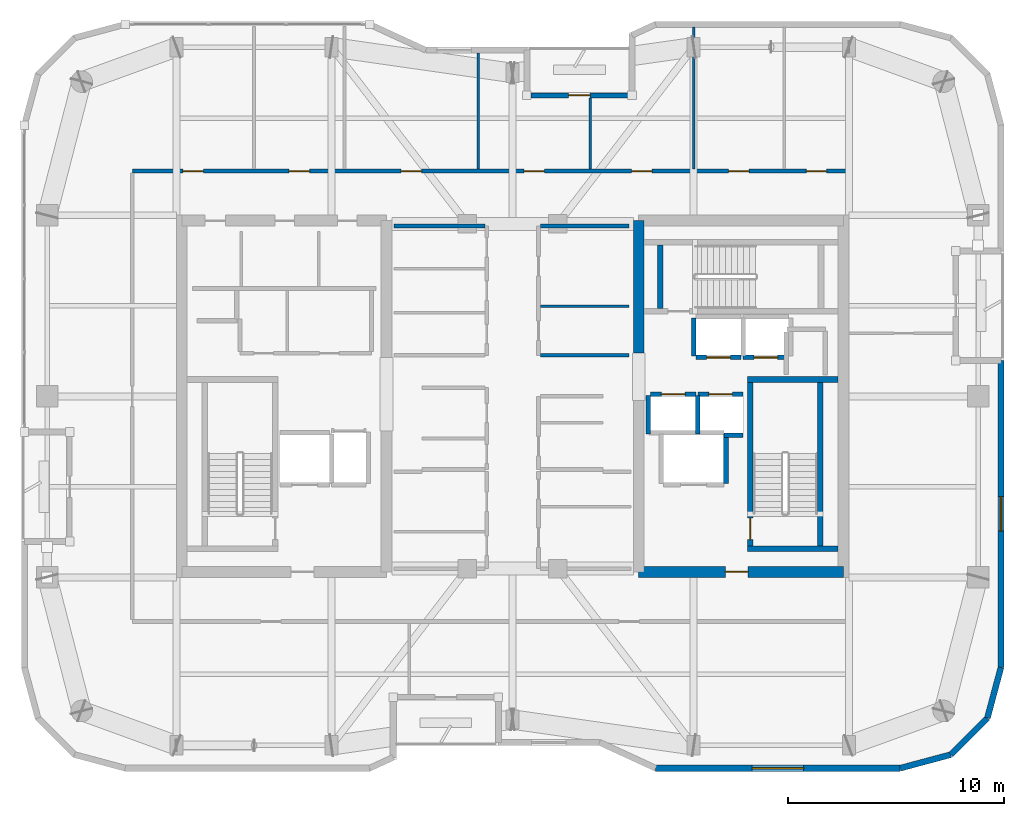
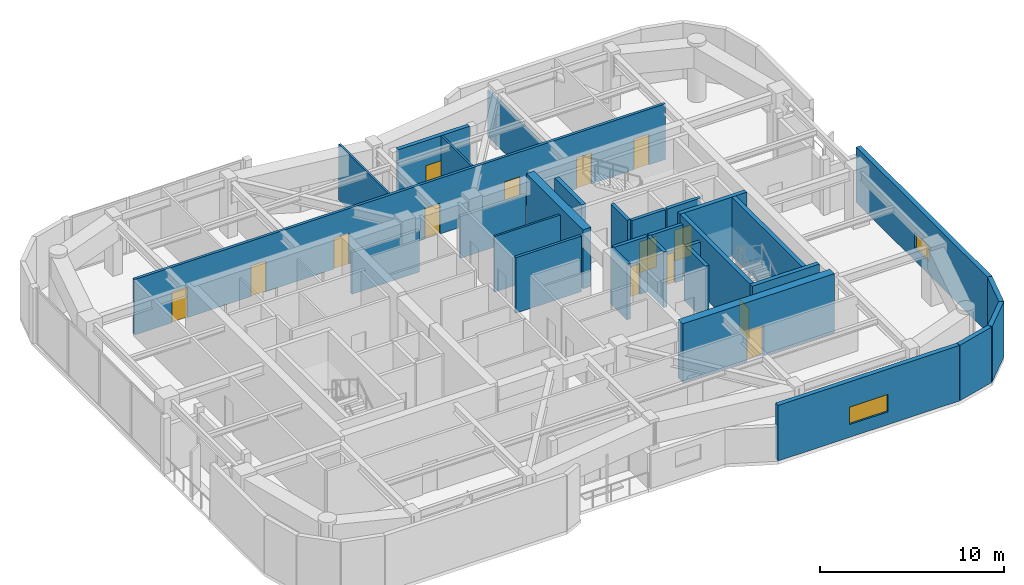
# One storey, part 12 of 15: 30 walls, 14 doors, 2 windows, 16 openings.
"""IFC4 building model written with IfcOpenShell, lengths in metres."""

from ifc_helpers import new_model, si_unit, direction, frame, frame_2d, origin, place, context, subcontext, project, spatial, rectangle, extrude, material, layer, layer_set, type_object, element, fill, save


model = new_model("IFC4")

# Units and contexts
model_context = context("Model", 3, precision=1e-05, world=origin(), true_north=direction((0.0, 1.0)))
body_context = subcontext(model_context, "Body", "Model", "MODEL_VIEW")
ifc_project = project(units=[si_unit("LENGTHUNIT", "METRE"), si_unit("AREAUNIT", "SQUARE_METRE"), si_unit("VOLUMEUNIT", "CUBIC_METRE"), si_unit("PLANEANGLEUNIT", "RADIAN"), si_unit("MASSUNIT", "GRAM", prefix="KILO")], contexts=[model_context])

# Site, building, storey
site_placement = place(None, origin())
site = spatial("IfcSite", under=ifc_project, at=site_placement, CompositionType="ELEMENT")
building_placement = place(site_placement, origin())
building = spatial("IfcBuilding", under=site, at=building_placement, Name="Kiyonajd Concourse Tower", CompositionType="ELEMENT")
storey_placement = place(building_placement, frame((0.0, 0.0, 274.5)))
storey = spatial("IfcBuildingStorey", under=building, at=storey_placement, Name="L69", CompositionType="ELEMENT", Elevation=274.5)

# Wall
ifc_material_1 = material(Name="Concrete C60/75", Category="concrete")
ifc_layer_1 = layer(ifc_material_1, 0.5)
ifc_layer_set_1 = layer_set([ifc_layer_1], Name="Concrete C60/75")
wall_type_1 = type_object("IfcWallType", Name="WL-CORE-500", PredefinedType="SHEAR", material=ifc_layer_set_1)
wall_1_placement = place(storey_placement, frame((53.85009765625, 38.0, 0.0), z_axis=(0.0, 0.0, 1.0), x_axis=(0.0, 1.0, 0.0)))
element("IfcWall", 1, at=wall_1_placement, inside=storey, type_object=wall_type_1, Name="L69 East Core Inner North Shear Wall", PredefinedType="SHEAR", context=body_context, shape_type="SweptSolid", body=[
    extrude(rectangle(XDim=6.14990234375, YDim=0.5, at=frame_2d((3.074951171875, 0.0))), origin(), (0.0, 0.0, 1.0), 3.89990234375),
])

# Wall, opening, door
wall_2_placement = place(storey_placement, frame((53.85009765625, 27.85009765625, 0.0), z_axis=(0.0, 0.0, 1.0), x_axis=(1.0, 0.0, 0.0)))
wall_2 = element("IfcWall", 2, at=wall_2_placement, inside=storey, type_object=wall_type_1, Name="L69 East Core South Shear Wall", PredefinedType="SHEAR", context=body_context, shape_type="SweptSolid", body=[
    extrude(rectangle(XDim=9.5, YDim=0.5, at=frame_2d((4.75, 0.0))), origin(), (0.0, 0.0, 1.0), 3.89990234375),
])
opening_1_placement = place(wall_2_placement, frame((4.02490234375, 0.0, 0.0)))
opening_1 = element("IfcOpeningElement", 3, at=opening_1_placement, cuts=wall_2, Name="Opening DF5", PredefinedType="OPENING", context=body_context, shape_type="SweptSolid", body=[
    extrude(rectangle(XDim=1.050048828125, YDim=2.0400390625, at=frame_2d((0.52490234375, 1.02001953125))), frame((0.0, 0.260009765625, 0.0), z_axis=(0.0, -1.0, 0.0), x_axis=(1.0, 0.0, 0.0)), (0.0, 0.0, 1.0), 0.52001953125),
])
ifc_material_2 = material(Name="Brushed Stainless Steel Cab Assembly", Category="steel")
door_type_1 = type_object("IfcDoorType", Name="DR-FD45-1050", OperationType="NOTDEFINED", PredefinedType="DOOR", material=ifc_material_2)
door_1_placement = place(opening_1_placement, origin())
door_1 = element("IfcDoor", 4, at=door_1_placement, inside=storey, type_object=door_type_1, Name="L69 Firefighting Lift Lobby E Smoke Door", OperationType="SINGLE_SWING_RIGHT", OverallHeight=2.0400390625, OverallWidth=1.050048828125, PredefinedType="DOOR", context=body_context, shape_type="SweptSolid", body=[
    extrude(rectangle(XDim=1.050048828125, YDim=2.0400390625, at=frame_2d((0.52490234375, 1.02001953125))), frame((0.0, 0.02490234375, 0.0), z_axis=(0.0, -1.0, 0.0), x_axis=(1.0, 0.0, 0.0)), (0.0, 0.0, 1.0), 0.050048828125),
])
fill(opening_1, door_1)

# Wall, opening, window
ifc_material_3 = material(Name="Precast concrete C50/60", Category="concrete")
ifc_layer_2 = layer(ifc_material_3, 0.280029296875)
ifc_layer_set_2 = layer_set([ifc_layer_2], Name="Precast concrete C50/60")
wall_type_2 = type_object("IfcWallType", Name="WL-EXT-280", PredefinedType="SOLIDWALL", material=ifc_layer_set_2)
wall_3_placement = place(storey_placement, frame((70.659912109375, 37.659912109375, 0.0), z_axis=(0.0, 0.0, 1.0), x_axis=(0.0, -1.0, 0.0)))
wall_3 = element("IfcWall", 5, at=wall_3_placement, inside=storey, type_object=wall_type_2, Name="L69 Exterior Concrete Frame Wall 24", PredefinedType="SOLIDWALL", context=body_context, shape_type="SweptSolid", body=[
    extrude(rectangle(XDim=14.241455078125, YDim=0.280029296875, at=frame_2d((7.12060546875, 0.0))), origin(), (0.0, 0.0, 1.0), 3.679931640625),
])
opening_2_placement = place(wall_3_placement, frame((6.321044921875, 0.0, 0.85009765625)))
opening_2 = element("IfcOpeningElement", 6, at=opening_2_placement, cuts=wall_3, Name="Opening WN6", PredefinedType="OPENING", context=body_context, shape_type="SweptSolid", body=[
    extrude(rectangle(XDim=1.60009765625, YDim=1.0, at=frame_2d((0.800048828125, 0.5))), frame((0.0, 0.14990234375, 0.0), z_axis=(0.0, -1.0, 0.0), x_axis=(1.0, 0.0, 0.0)), (0.0, 0.0, 1.0), 0.300048828125),
])
ifc_material_4 = material(Name="Double Low-E Insulated Glass", Category="glass")
window_type_1 = type_object("IfcWindowType", Name="WN-VIS-1600x1000", PartitioningType="SINGLE_PANEL", PredefinedType="WINDOW", material=ifc_material_4)
window_1_placement = place(opening_2_placement, origin())
window_1 = element("IfcWindow", 7, at=window_1_placement, inside=storey, type_object=window_type_1, Name="L69 Modular Facade Vision Window 24", OverallHeight=1.0, OverallWidth=1.60009765625, PartitioningType="SINGLE_PANEL", PredefinedType="WINDOW", context=body_context, shape_type="SweptSolid", body=[
    extrude(rectangle(XDim=1.60009765625, YDim=1.0, at=frame_2d((0.800048828125, 0.5))), frame((0.0, 0.030029296875, 0.0), z_axis=(0.0, -1.0, 0.0), x_axis=(1.0, 0.0, 0.0)), (0.0, 0.0, 1.0), 0.06005859375),
])
fill(opening_2, window_1)

# Walls
wall_4_placement = place(storey_placement, frame((70.659912109375, 23.41845703125, 0.0), z_axis=(0.0, 0.0, 1.0), x_axis=(-0.258751159445, -0.965944013639, 0.0)))
element("IfcWall", 8, at=wall_4_placement, inside=storey, type_object=wall_type_2, Name="L69 Exterior Concrete Frame Wall 25", PredefinedType="SOLIDWALL", context=body_context, shape_type="SweptSolid", body=[
    extrude(rectangle(XDim=2.4287109375, YDim=0.280029296875, at=frame_2d((1.21435546875, 0.0))), origin(), (0.0, 0.0, 1.0), 3.679931640625),
])
wall_5_placement = place(storey_placement, frame((70.031494140625, 21.072509765625, 0.0), z_axis=(0.0, 0.0, 1.0), x_axis=(-0.707106781187, -0.707106781187, 0.0)))
element("IfcWall", 9, at=wall_5_placement, inside=storey, type_object=wall_type_2, Name="L69 Exterior Concrete Frame Wall 26", PredefinedType="SOLIDWALL", context=body_context, shape_type="SweptSolid", body=[
    extrude(rectangle(XDim=2.409912109375, YDim=0.280029296875, at=frame_2d((1.205078125, 0.0))), origin(), (0.0, 0.0, 1.0), 3.679931640625),
])
wall_6_placement = place(storey_placement, frame((68.327392578125, 19.368408203125, 0.0), z_axis=(0.0, 0.0, 1.0), x_axis=(-0.965937282298, -0.25877628691, 0.0)))
element("IfcWall", 10, at=wall_6_placement, inside=storey, type_object=wall_type_2, Name="L69 Exterior Concrete Frame Wall 27", PredefinedType="SOLIDWALL", context=body_context, shape_type="SweptSolid", body=[
    extrude(rectangle(XDim=2.428466796875, YDim=0.280029296875, at=frame_2d((1.21435546875, 0.0))), origin(), (0.0, 0.0, 1.0), 3.679931640625),
])

# Wall, opening, window
wall_7_placement = place(storey_placement, frame((65.981689453125, 18.739990234375, 0.0), z_axis=(0.0, 0.0, 1.0), x_axis=(-1.0, 0.0, 0.0)))
wall_7 = element("IfcWall", 11, at=wall_7_placement, inside=storey, type_object=wall_type_2, Name="L69 Exterior Concrete Frame Wall 28", PredefinedType="SOLIDWALL", context=body_context, shape_type="SweptSolid", body=[
    extrude(rectangle(XDim=11.35107421875, YDim=0.280029296875, at=frame_2d((5.675537109375, 0.0))), origin(), (0.0, 0.0, 1.0), 3.679931640625),
])
opening_3_placement = place(wall_7_placement, frame((4.47509765625, 0.0, 0.85009765625)))
opening_3 = element("IfcOpeningElement", 12, at=opening_3_placement, cuts=wall_7, Name="Opening WN4", PredefinedType="OPENING", context=body_context, shape_type="SweptSolid", body=[
    extrude(rectangle(XDim=2.39990234375, YDim=1.14990234375, at=frame_2d((1.199951171875, 0.574951171875))), frame((0.0, 0.14990234375, 0.0), z_axis=(0.0, -1.0, 0.0), x_axis=(1.0, 0.0, 0.0)), (0.0, 0.0, 1.0), 0.300048828125),
])
window_type_2 = type_object("IfcWindowType", Name="WN-VIS-2400x1150", PartitioningType="SINGLE_PANEL", PredefinedType="WINDOW", material=ifc_material_4)
window_2_placement = place(opening_3_placement, origin())
window_2 = element("IfcWindow", 13, at=window_2_placement, inside=storey, type_object=window_type_2, Name="L69 Modular Facade Vision Window 28", OverallHeight=1.14990234375, OverallWidth=2.39990234375, PartitioningType="SINGLE_PANEL", PredefinedType="WINDOW", context=body_context, shape_type="SweptSolid", body=[
    extrude(rectangle(XDim=2.39990234375, YDim=1.14990234375, at=frame_2d((1.199951171875, 0.574951171875))), frame((0.0, 0.030029296875, 0.0), z_axis=(0.0, -1.0, 0.0), x_axis=(1.0, 0.0, 0.0)), (0.0, 0.0, 1.0), 0.06005859375),
])
fill(opening_3, window_2)

# Wall, opening, door
ifc_layer_3 = layer(ifc_material_3, 0.239990234375)
ifc_layer_set_3 = layer_set([ifc_layer_3], Name="Precast concrete C50/60")
wall_type_3 = type_object("IfcWallType", Name="WL-LOG-240", PredefinedType="SOLIDWALL", material=ifc_layer_set_3)
wall_8_placement = place(storey_placement, frame((48.85498046875, 49.9599609375, 0.0), z_axis=(0.0, 0.0, 1.0), x_axis=(1.0, 0.0, 0.0)))
wall_8 = element("IfcWall", 14, at=wall_8_placement, inside=storey, type_object=wall_type_3, Name="L69 Recessed Loggia Thermal Wall LOG-N", PredefinedType="SOLIDWALL", context=body_context, shape_type="SweptSolid", body=[
    extrude(rectangle(XDim=4.489990234375, YDim=0.239990234375, at=frame_2d((2.2451171875, 0.0))), origin(), (0.0, 0.0, 1.0), 3.679931640625),
])
opening_4_placement = place(wall_8_placement, frame((1.7451171875, 0.0, 0.0)))
opening_4 = element("IfcOpeningElement", 15, at=opening_4_placement, cuts=wall_8, Name="Opening DL1", PredefinedType="OPENING", context=body_context, shape_type="SweptSolid", body=[
    extrude(rectangle(XDim=1.0, YDim=2.02001953125, at=frame_2d((0.5, 1.010009765625))), frame((0.0, 0.1298828125, 0.0), z_axis=(0.0, -1.0, 0.0), x_axis=(1.0, 0.0, 0.0)), (0.0, 0.0, 1.0), 0.260009765625),
])
ifc_material_5 = material(Name="Thermally Broken Anodised Aluminium", Category="aluminium")
door_type_2 = type_object("IfcDoorType", Name="DR-LOG-1000", OperationType="NOTDEFINED", PredefinedType="DOOR", material=ifc_material_5)
door_2_placement = place(opening_4_placement, origin())
door_2 = element("IfcDoor", 16, at=door_2_placement, inside=storey, type_object=door_type_2, Name="L69 Engawa Loggia Access Door LOG-N", OperationType="SINGLE_SWING_RIGHT", OverallHeight=2.02001953125, OverallWidth=1.0, PredefinedType="DOOR", context=body_context, shape_type="SweptSolid", body=[
    extrude(rectangle(XDim=1.0, YDim=2.02001953125, at=frame_2d((0.5, 1.010009765625))), frame((0.0, 0.02490234375, 0.0), z_axis=(0.0, -1.0, 0.0), x_axis=(1.0, 0.0, 0.0)), (0.0, 0.0, 1.0), 0.050048828125),
])
fill(opening_4, door_2)

# Walls
ifc_material_6 = material(Name="Gypsum Board on Cold-Formed Steel Stud", Category="steel")
ifc_layer_4 = layer(ifc_material_6, 0.125)
ifc_layer_set_4 = layer_set([ifc_layer_4], Name="Gypsum Board on Cold-Formed Steel Stud")
wall_type_4 = type_object("IfcWallType", Name="WL-PART-125", PredefinedType="PARTITIONING", material=ifc_layer_set_4)
wall_9_placement = place(storey_placement, frame((49.287109375, 40.179931640625, 0.0), z_axis=(0.0, 0.0, 1.0), x_axis=(1.0, 0.0, 0.0)))
element("IfcWall", 17, at=wall_9_placement, inside=storey, type_object=wall_type_4, Name="L69 Interior Partition Wall", PredefinedType="PARTITIONING", context=body_context, shape_type="SweptSolid", body=[
    extrude(rectangle(XDim=4.11279296875, YDim=0.125, at=frame_2d((2.056396484375, 0.0))), origin(), (0.0, 0.0, 1.0), 3.679931640625),
])
wall_10_placement = place(storey_placement, frame((46.39990234375, 46.537109375, 0.0), z_axis=(0.0, 0.0, 1.0), x_axis=(0.0, 1.0, 0.0)))
element("IfcWall", 18, at=wall_10_placement, inside=storey, type_object=wall_type_4, Name="L69 Interior Partition Wall", PredefinedType="PARTITIONING", context=body_context, shape_type="SweptSolid", body=[
    extrude(rectangle(XDim=5.387939453125, YDim=0.125, at=frame_2d((2.69384765625, 0.0))), origin(), (0.0, 0.0, 1.0), 3.679931640625),
])
wall_11_placement = place(storey_placement, frame((51.60009765625, 46.537109375, 0.0), z_axis=(0.0, 0.0, 1.0), x_axis=(0.0, 1.0, 0.0)))
element("IfcWall", 19, at=wall_11_placement, inside=storey, type_object=wall_type_4, Name="L69 Interior Partition Wall", PredefinedType="PARTITIONING", context=body_context, shape_type="SweptSolid", body=[
    extrude(rectangle(XDim=3.307861328125, YDim=0.125, at=frame_2d((1.65380859375, 0.0))), origin(), (0.0, 0.0, 1.0), 3.679931640625),
])
wall_12_placement = place(storey_placement, frame((56.39990234375, 46.537109375, 0.0), z_axis=(0.0, 0.0, 1.0), x_axis=(0.0, 1.0, 0.0)))
element("IfcWall", 20, at=wall_12_placement, inside=storey, type_object=wall_type_4, Name="L69 Interior Partition Wall", PredefinedType="PARTITIONING", context=body_context, shape_type="SweptSolid", body=[
    extrude(rectangle(XDim=6.587890625, YDim=0.125, at=frame_2d((3.2939453125, 0.0))), origin(), (0.0, 0.0, 1.0), 3.04296875),
])
ifc_layer_5 = layer(ifc_material_6, 0.2099609375)
ifc_layer_set_5 = layer_set([ifc_layer_5], Name="Gypsum Board on Cold-Formed Steel Stud")
wall_type_5 = type_object("IfcWallType", Name="WL-SHAFT-210", PredefinedType="PARTITIONING", material=ifc_layer_set_5)
wall_13_placement = place(storey_placement, frame((57.89990234375, 31.9599609375, 0.0), z_axis=(0.0, 0.0, 1.0), x_axis=(0.0, 1.0, 0.0)))
element("IfcWall", 21, at=wall_13_placement, inside=storey, type_object=wall_type_5, Name="L69 Shaft Enclosure Wall", PredefinedType="PARTITIONING", context=body_context, shape_type="SweptSolid", body=[
    extrude(rectangle(XDim=2.280029296875, YDim=0.2099609375, at=frame_2d((1.14013671875, 0.0))), origin(), (0.0, 0.0, 1.0), 3.679931640625),
])

# Wall, opening, door
wall_14_placement = place(storey_placement, frame((54.39990234375, 36.10009765625, 0.0), z_axis=(0.0, 0.0, 1.0), x_axis=(1.0, 0.0, 0.0)))
wall_14 = element("IfcWall", 22, at=wall_14_placement, inside=storey, type_object=wall_type_5, Name="L69 Shaft Enclosure Wall", PredefinedType="PARTITIONING", context=body_context, shape_type="SweptSolid", body=[
    extrude(rectangle(XDim=2.10009765625, YDim=0.2099609375, at=frame_2d((1.050048828125, 0.0))), origin(), (0.0, 0.0, 1.0), 3.679931640625),
])
opening_5_placement = place(wall_14_placement, frame((0.5, 0.0, 0.0)))
opening_5 = element("IfcOpeningElement", 23, at=opening_5_placement, cuts=wall_14, Name="Opening LD1", PredefinedType="OPENING", context=body_context, shape_type="SweptSolid", body=[
    extrude(rectangle(XDim=1.10009765625, YDim=2.0400390625, at=frame_2d((0.550048828125, 1.02001953125))), frame((0.0, 0.114990234375, 0.0), z_axis=(0.0, -1.0, 0.0), x_axis=(1.0, 0.0, 0.0)), (0.0, 0.0, 1.0), 0.22998046875),
])
door_type_3 = type_object("IfcDoorType", Name="DR-LD-1100", OperationType="DOUBLE_DOOR_SLIDING", PredefinedType="DOOR", material=ifc_material_2)
door_3_placement = place(opening_5_placement, origin())
door_3 = element("IfcDoor", 24, at=door_3_placement, inside=storey, type_object=door_type_3, Name="L69 Lift PL-H1 Sliding Landing Door", OperationType="DOUBLE_DOOR_SLIDING", OverallHeight=2.0400390625, OverallWidth=1.10009765625, PredefinedType="DOOR", context=body_context, shape_type="SweptSolid", body=[
    extrude(rectangle(XDim=1.10009765625, YDim=2.0400390625, at=frame_2d((0.550048828125, 1.02001953125))), frame((0.0, 0.02490234375, 0.0), z_axis=(0.0, -1.0, 0.0), x_axis=(1.0, 0.0, 0.0)), (0.0, 0.0, 1.0), 0.050048828125),
])
fill(opening_5, door_3)

# Walls
for number, where, z_axis, x_axis, name in (
    (25, (54.300048828125, 34.260009765625, 0.0), (0.0, 0.0, 1.0), (0.0, 1.0, 0.0), "L69 Shaft Enclosure Wall"),
    (26, (56.60009765625, 34.260009765625, 0.0), (0.0, 0.0, 1.0), (0.0, 1.0, 0.0), "L69 Shaft Enclosure Wall"),
):
    element("IfcWall", number, at=place(storey_placement, frame(where, z_axis=z_axis, x_axis=x_axis)), inside=storey, type_object=wall_type_5, Name=name, PredefinedType="PARTITIONING", context=body_context, shape_type="SweptSolid", body=[
        extrude(rectangle(XDim=1.780029296875, YDim=0.2099609375, at=frame_2d((0.89013671875, 0.0))), origin(), (0.0, 0.0, 1.0), 3.679931640625),
    ])

# Wall, opening, door
wall_15_placement = place(storey_placement, frame((56.60009765625, 36.10009765625, 0.0), z_axis=(0.0, 0.0, 1.0), x_axis=(1.0, 0.0, 0.0)))
wall_15 = element("IfcWall", 27, at=wall_15_placement, inside=storey, type_object=wall_type_5, Name="L69 Shaft Enclosure Wall", PredefinedType="PARTITIONING", context=body_context, shape_type="SweptSolid", body=[
    extrude(rectangle(XDim=2.099853515625, YDim=0.2099609375, at=frame_2d((1.0498046875, 0.0))), origin(), (0.0, 0.0, 1.0), 3.679931640625),
])
opening_6_placement = place(wall_15_placement, frame((0.5, 0.0, 0.0)))
opening_6 = element("IfcOpeningElement", 28, at=opening_6_placement, cuts=wall_15, Name="Opening LD1", PredefinedType="OPENING", context=body_context, shape_type="SweptSolid", body=[
    extrude(rectangle(XDim=1.10009765625, YDim=2.0400390625, at=frame_2d((0.550048828125, 1.02001953125))), frame((0.0, 0.114990234375, 0.0), z_axis=(0.0, -1.0, 0.0), x_axis=(1.0, 0.0, 0.0)), (0.0, 0.0, 1.0), 0.22998046875),
])
door_4_placement = place(opening_6_placement, origin())
door_4 = element("IfcDoor", 29, at=door_4_placement, inside=storey, type_object=door_type_3, Name="L69 Lift PL-H2 Sliding Landing Door", OperationType="DOUBLE_DOOR_SLIDING", OverallHeight=2.0400390625, OverallWidth=1.10009765625, PredefinedType="DOOR", context=body_context, shape_type="SweptSolid", body=[
    extrude(rectangle(XDim=1.10009765625, YDim=2.0400390625, at=frame_2d((0.550048828125, 1.02001953125))), frame((0.0, 0.02490234375, 0.0), z_axis=(0.0, -1.0, 0.0), x_axis=(1.0, 0.0, 0.0)), (0.0, 0.0, 1.0), 0.050048828125),
])
fill(opening_6, door_4)

# Wall
wall_16_placement = place(storey_placement, frame((57.800048828125, 34.199951171875, 0.0), z_axis=(0.0, 0.0, 1.0), x_axis=(1.0, 0.0, 0.0)))
element("IfcWall", 30, at=wall_16_placement, inside=storey, type_object=wall_type_5, Name="L69 Shaft Enclosure Wall", PredefinedType="PARTITIONING", context=body_context, shape_type="SweptSolid", body=[
    extrude(rectangle(XDim=0.89990234375, YDim=0.2099609375, at=frame_2d((0.449951171875, 0.0))), origin(), (0.0, 0.0, 1.0), 3.679931640625),
])

# Wall, opening, door
wall_17_placement = place(storey_placement, frame((56.5, 37.800048828125, 0.0), z_axis=(0.0, 0.0, 1.0), x_axis=(1.0, 0.0, 0.0)))
wall_17 = element("IfcWall", 31, at=wall_17_placement, inside=storey, type_object=wall_type_5, Name="L69 Shaft Enclosure Wall", PredefinedType="PARTITIONING", context=body_context, shape_type="SweptSolid", body=[
    extrude(rectangle(XDim=2.10009765625, YDim=0.2099609375, at=frame_2d((1.050048828125, 0.0))), origin(), (0.0, 0.0, 1.0), 3.679931640625),
])
opening_7_placement = place(wall_17_placement, frame((0.5, 0.0, 0.0)))
opening_7 = element("IfcOpeningElement", 32, at=opening_7_placement, cuts=wall_17, Name="Opening LD1", PredefinedType="OPENING", context=body_context, shape_type="SweptSolid", body=[
    extrude(rectangle(XDim=1.10009765625, YDim=2.0400390625, at=frame_2d((0.550048828125, 1.02001953125))), frame((0.0, 0.114990234375, 0.0), z_axis=(0.0, -1.0, 0.0), x_axis=(1.0, 0.0, 0.0)), (0.0, 0.0, 1.0), 0.22998046875),
])
door_5_placement = place(opening_7_placement, origin())
door_5 = element("IfcDoor", 33, at=door_5_placement, inside=storey, type_object=door_type_3, Name="L69 Lift PL-H3 Sliding Landing Door", OperationType="DOUBLE_DOOR_SLIDING", OverallHeight=2.0400390625, OverallWidth=1.10009765625, PredefinedType="DOOR", context=body_context, shape_type="SweptSolid", body=[
    extrude(rectangle(XDim=1.10009765625, YDim=2.0400390625, at=frame_2d((0.550048828125, 1.02001953125))), frame((0.0, 0.02490234375, 0.0), z_axis=(0.0, -1.0, 0.0), x_axis=(1.0, 0.0, 0.0)), (0.0, 0.0, 1.0), 0.050048828125),
])
fill(opening_7, door_5)

# Wall
wall_18_placement = place(storey_placement, frame((56.39990234375, 37.860107421875, 0.0), z_axis=(0.0, 0.0, 1.0), x_axis=(0.0, 1.0, 0.0)))
element("IfcWall", 34, at=wall_18_placement, inside=storey, type_object=wall_type_5, Name="L69 Shaft Enclosure Wall", PredefinedType="PARTITIONING", context=body_context, shape_type="SweptSolid", body=[
    extrude(rectangle(XDim=1.77978515625, YDim=0.2099609375, at=frame_2d((0.889892578125, 0.0))), origin(), (0.0, 0.0, 1.0), 3.679931640625),
])

# Wall, opening, door
wall_19_placement = place(storey_placement, frame((58.699951171875, 37.800048828125, 0.0), z_axis=(0.0, 0.0, 1.0), x_axis=(1.0, 0.0, 0.0)))
wall_19 = element("IfcWall", 35, at=wall_19_placement, inside=storey, type_object=wall_type_5, Name="L69 Shaft Enclosure Wall", PredefinedType="PARTITIONING", context=body_context, shape_type="SweptSolid", body=[
    extrude(rectangle(XDim=2.10009765625, YDim=0.2099609375, at=frame_2d((1.050048828125, 0.0))), origin(), (0.0, 0.0, 1.0), 3.679931640625),
])
opening_8_placement = place(wall_19_placement, frame((0.5, 0.0, 0.0)))
opening_8 = element("IfcOpeningElement", 36, at=opening_8_placement, cuts=wall_19, Name="Opening LD1", PredefinedType="OPENING", context=body_context, shape_type="SweptSolid", body=[
    extrude(rectangle(XDim=1.10009765625, YDim=2.0400390625, at=frame_2d((0.550048828125, 1.02001953125))), frame((0.0, 0.114990234375, 0.0), z_axis=(0.0, -1.0, 0.0), x_axis=(1.0, 0.0, 0.0)), (0.0, 0.0, 1.0), 0.22998046875),
])
door_6_placement = place(opening_8_placement, origin())
door_6 = element("IfcDoor", 37, at=door_6_placement, inside=storey, type_object=door_type_3, Name="L69 Lift PL-H4 Sliding Landing Door", OperationType="DOUBLE_DOOR_SLIDING", OverallHeight=2.0400390625, OverallWidth=1.10009765625, PredefinedType="DOOR", context=body_context, shape_type="SweptSolid", body=[
    extrude(rectangle(XDim=1.10009765625, YDim=2.0400390625, at=frame_2d((0.550048828125, 1.02001953125))), frame((0.0, 0.02490234375, 0.0), z_axis=(0.0, -1.0, 0.0), x_axis=(1.0, 0.0, 0.0)), (0.0, 0.0, 1.0), 0.050048828125),
])
fill(opening_8, door_6)

# Walls
ifc_layer_6 = layer(ifc_material_6, 0.169921875)
ifc_layer_set_6 = layer_set([ifc_layer_6], Name="Gypsum Board on Cold-Formed Steel Stud")
wall_type_6 = type_object("IfcWallType", Name="WL-SMK-170", PredefinedType="PARTITIONING", material=ifc_layer_set_6)
wall_20_placement = place(storey_placement, frame((42.5, 43.89990234375, 0.0), z_axis=(0.0, 0.0, 1.0), x_axis=(1.0, 0.0, 0.0)))
element("IfcWall", 38, at=wall_20_placement, inside=storey, type_object=wall_type_6, Name="L69 Interior Partition Wall", PredefinedType="PARTITIONING", context=body_context, shape_type="SweptSolid", body=[
    extrude(rectangle(XDim=4.212890625, YDim=0.169921875, at=frame_2d((2.1064453125, 0.0))), origin(), (0.0, 0.0, 1.0), 2.764892578125),
])
wall_21_placement = place(storey_placement, frame((49.287109375, 37.89990234375, 0.0), z_axis=(0.0, 0.0, 1.0), x_axis=(1.0, 0.0, 0.0)))
element("IfcWall", 39, at=wall_21_placement, inside=storey, type_object=wall_type_6, Name="L69 Interior Partition Wall", PredefinedType="PARTITIONING", context=body_context, shape_type="SweptSolid", body=[
    extrude(rectangle(XDim=4.11279296875, YDim=0.169921875, at=frame_2d((2.056396484375, 0.0))), origin(), (0.0, 0.0, 1.0), 3.679931640625),
])
wall_22_placement = place(storey_placement, frame((49.287109375, 43.89990234375, 0.0), z_axis=(0.0, 0.0, 1.0), x_axis=(1.0, 0.0, 0.0)))
element("IfcWall", 40, at=wall_22_placement, inside=storey, type_object=wall_type_6, Name="L69 Interior Partition Wall", PredefinedType="PARTITIONING", context=body_context, shape_type="SweptSolid", body=[
    extrude(rectangle(XDim=4.11279296875, YDim=0.169921875, at=frame_2d((2.056396484375, 0.0))), origin(), (0.0, 0.0, 1.0), 2.764892578125),
])

# Wall, openings, doors
wall_23_placement = place(storey_placement, frame((30.35009765625, 46.449951171875, 0.0), z_axis=(0.0, 0.0, 1.0), x_axis=(1.0, 0.0, 0.0)))
wall_23 = element("IfcWall", 41, at=wall_23_placement, inside=storey, type_object=wall_type_6, Name="L69 Interior Partition Wall", PredefinedType="PARTITIONING", context=body_context, shape_type="SweptSolid", body=[
    extrude(rectangle(XDim=33.25, YDim=0.169921875, at=frame_2d((16.625, 0.0))), origin(), (0.0, 0.0, 1.0), 3.679931640625),
])
opening_9_placement = place(wall_23_placement, frame((2.35009765625, 0.0, 0.0)))
opening_9 = element("IfcOpeningElement", 42, at=opening_9_placement, cuts=wall_23, Name="Opening DI1", PredefinedType="OPENING", context=body_context, shape_type="SweptSolid", body=[
    extrude(rectangle(XDim=0.949951171875, YDim=2.0400390625, at=frame_2d((0.47509765625, 1.02001953125))), frame((0.0, 0.094970703125, 0.0), z_axis=(0.0, -1.0, 0.0), x_axis=(1.0, 0.0, 0.0)), (0.0, 0.0, 1.0), 0.18994140625),
])
opening_10_placement = place(wall_23_placement, frame((7.27490234375, 0.0, 0.0)))
opening_10 = element("IfcOpeningElement", 43, at=opening_10_placement, cuts=wall_23, Name="Opening DI1", PredefinedType="OPENING", context=body_context, shape_type="SweptSolid", body=[
    extrude(rectangle(XDim=0.949951171875, YDim=2.0400390625, at=frame_2d((0.47509765625, 1.02001953125))), frame((0.0, 0.094970703125, 0.0), z_axis=(0.0, -1.0, 0.0), x_axis=(1.0, 0.0, 0.0)), (0.0, 0.0, 1.0), 0.18994140625),
])
opening_11_placement = place(wall_23_placement, frame((12.47509765625, 0.0, 0.0)))
opening_11 = element("IfcOpeningElement", 44, at=opening_11_placement, cuts=wall_23, Name="Opening DI1", PredefinedType="OPENING", context=body_context, shape_type="SweptSolid", body=[
    extrude(rectangle(XDim=0.949951171875, YDim=2.0400390625, at=frame_2d((0.47509765625, 1.02001953125))), frame((0.0, 0.094970703125, 0.0), z_axis=(0.0, -1.0, 0.0), x_axis=(1.0, 0.0, 0.0)), (0.0, 0.0, 1.0), 0.18994140625),
])
opening_12_placement = place(wall_23_placement, frame((18.175048828125, 0.0, 0.0)))
opening_12 = element("IfcOpeningElement", 45, at=opening_12_placement, cuts=wall_23, Name="Opening DI1", PredefinedType="OPENING", context=body_context, shape_type="SweptSolid", body=[
    extrude(rectangle(XDim=0.949951171875, YDim=2.0400390625, at=frame_2d((0.47509765625, 1.02001953125))), frame((0.0, 0.094970703125, 0.0), z_axis=(0.0, -1.0, 0.0), x_axis=(1.0, 0.0, 0.0)), (0.0, 0.0, 1.0), 0.18994140625),
])
opening_13_placement = place(wall_23_placement, frame((23.175048828125, 0.0, 0.0)))
opening_13 = element("IfcOpeningElement", 46, at=opening_13_placement, cuts=wall_23, Name="Opening DI1", PredefinedType="OPENING", context=body_context, shape_type="SweptSolid", body=[
    extrude(rectangle(XDim=0.949951171875, YDim=2.0400390625, at=frame_2d((0.47509765625, 1.02001953125))), frame((0.0, 0.094970703125, 0.0), z_axis=(0.0, -1.0, 0.0), x_axis=(1.0, 0.0, 0.0)), (0.0, 0.0, 1.0), 0.18994140625),
])
opening_14_placement = place(wall_23_placement, frame((27.675048828125, 0.0, 0.0)))
opening_14 = element("IfcOpeningElement", 47, at=opening_14_placement, cuts=wall_23, Name="Opening DI1", PredefinedType="OPENING", context=body_context, shape_type="SweptSolid", body=[
    extrude(rectangle(XDim=0.949951171875, YDim=2.0400390625, at=frame_2d((0.47509765625, 1.02001953125))), frame((0.0, 0.094970703125, 0.0), z_axis=(0.0, -1.0, 0.0), x_axis=(1.0, 0.0, 0.0)), (0.0, 0.0, 1.0), 0.18994140625),
])
opening_15_placement = place(wall_23_placement, frame((31.27490234375, 0.0, 0.0)))
opening_15 = element("IfcOpeningElement", 48, at=opening_15_placement, cuts=wall_23, Name="Opening DI1", PredefinedType="OPENING", context=body_context, shape_type="SweptSolid", body=[
    extrude(rectangle(XDim=0.949951171875, YDim=2.0400390625, at=frame_2d((0.47509765625, 1.02001953125))), frame((0.0, 0.094970703125, 0.0), z_axis=(0.0, -1.0, 0.0), x_axis=(1.0, 0.0, 0.0)), (0.0, 0.0, 1.0), 0.18994140625),
])
ifc_material_7 = material(Name="Natural Oak Acoustic Timber Veneer", Category="wood")
door_type_4 = type_object("IfcDoorType", Name="DR-INT-950", OperationType="NOTDEFINED", PredefinedType="DOOR", material=ifc_material_7)
door_7_placement = place(opening_9_placement, origin())
door_7 = element("IfcDoor", 49, at=door_7_placement, inside=storey, type_object=door_type_4, Name="L69 Interior Door", OperationType="SINGLE_SWING_RIGHT", OverallHeight=2.0400390625, OverallWidth=0.949951171875, PredefinedType="DOOR", context=body_context, shape_type="SweptSolid", body=[
    extrude(rectangle(XDim=0.949951171875, YDim=2.0400390625, at=frame_2d((0.47509765625, 1.02001953125))), frame((0.0, 0.02490234375, 0.0), z_axis=(0.0, -1.0, 0.0), x_axis=(1.0, 0.0, 0.0)), (0.0, 0.0, 1.0), 0.050048828125),
])
fill(opening_9, door_7)
door_8_placement = place(opening_10_placement, origin())
door_8 = element("IfcDoor", 50, at=door_8_placement, inside=storey, type_object=door_type_4, Name="L69 Interior Door", OperationType="SINGLE_SWING_LEFT", OverallHeight=2.0400390625, OverallWidth=0.949951171875, PredefinedType="DOOR", context=body_context, shape_type="SweptSolid", body=[
    extrude(rectangle(XDim=0.949951171875, YDim=2.0400390625, at=frame_2d((0.47509765625, 1.02001953125))), frame((0.0, 0.02490234375, 0.0), z_axis=(0.0, -1.0, 0.0), x_axis=(1.0, 0.0, 0.0)), (0.0, 0.0, 1.0), 0.050048828125),
])
fill(opening_10, door_8)
door_9_placement = place(opening_11_placement, origin())
door_9 = element("IfcDoor", 51, at=door_9_placement, inside=storey, type_object=door_type_4, Name="L69 Interior Door", OperationType="SINGLE_SWING_RIGHT", OverallHeight=2.0400390625, OverallWidth=0.949951171875, PredefinedType="DOOR", context=body_context, shape_type="SweptSolid", body=[
    extrude(rectangle(XDim=0.949951171875, YDim=2.0400390625, at=frame_2d((0.47509765625, 1.02001953125))), frame((0.0, 0.02490234375, 0.0), z_axis=(0.0, -1.0, 0.0), x_axis=(1.0, 0.0, 0.0)), (0.0, 0.0, 1.0), 0.050048828125),
])
fill(opening_11, door_9)
door_10_placement = place(opening_12_placement, origin())
door_10 = element("IfcDoor", 52, at=door_10_placement, inside=storey, type_object=door_type_4, Name="L69 Interior Door", OperationType="SINGLE_SWING_LEFT", OverallHeight=2.0400390625, OverallWidth=0.949951171875, PredefinedType="DOOR", context=body_context, shape_type="SweptSolid", body=[
    extrude(rectangle(XDim=0.949951171875, YDim=2.0400390625, at=frame_2d((0.47509765625, 1.02001953125))), frame((0.0, 0.02490234375, 0.0), z_axis=(0.0, -1.0, 0.0), x_axis=(1.0, 0.0, 0.0)), (0.0, 0.0, 1.0), 0.050048828125),
])
fill(opening_12, door_10)
door_11_placement = place(opening_13_placement, origin())
door_11 = element("IfcDoor", 53, at=door_11_placement, inside=storey, type_object=door_type_4, Name="L69 Interior Door", OperationType="SINGLE_SWING_RIGHT", OverallHeight=2.0400390625, OverallWidth=0.949951171875, PredefinedType="DOOR", context=body_context, shape_type="SweptSolid", body=[
    extrude(rectangle(XDim=0.949951171875, YDim=2.0400390625, at=frame_2d((0.47509765625, 1.02001953125))), frame((0.0, 0.02490234375, 0.0), z_axis=(0.0, -1.0, 0.0), x_axis=(1.0, 0.0, 0.0)), (0.0, 0.0, 1.0), 0.050048828125),
])
fill(opening_13, door_11)
door_12_placement = place(opening_14_placement, origin())
door_12 = element("IfcDoor", 54, at=door_12_placement, inside=storey, type_object=door_type_4, Name="L69 Interior Door", OperationType="SINGLE_SWING_LEFT", OverallHeight=2.0400390625, OverallWidth=0.949951171875, PredefinedType="DOOR", context=body_context, shape_type="SweptSolid", body=[
    extrude(rectangle(XDim=0.949951171875, YDim=2.0400390625, at=frame_2d((0.47509765625, 1.02001953125))), frame((0.0, 0.02490234375, 0.0), z_axis=(0.0, -1.0, 0.0), x_axis=(1.0, 0.0, 0.0)), (0.0, 0.0, 1.0), 0.050048828125),
])
fill(opening_14, door_12)
door_13_placement = place(opening_15_placement, origin())
door_13 = element("IfcDoor", 55, at=door_13_placement, inside=storey, type_object=door_type_4, Name="L69 Interior Door", OperationType="SINGLE_SWING_RIGHT", OverallHeight=2.0400390625, OverallWidth=0.949951171875, PredefinedType="DOOR", context=body_context, shape_type="SweptSolid", body=[
    extrude(rectangle(XDim=0.949951171875, YDim=2.0400390625, at=frame_2d((0.47509765625, 1.02001953125))), frame((0.0, 0.02490234375, 0.0), z_axis=(0.0, -1.0, 0.0), x_axis=(1.0, 0.0, 0.0)), (0.0, 0.0, 1.0), 0.050048828125),
])
fill(opening_15, door_13)

# Walls
ifc_material_8 = material(Name="Concrete C50/60", Category="concrete")
ifc_layer_7 = layer(ifc_material_8, 0.260009765625)
ifc_layer_set_7 = layer_set([ifc_layer_7], Name="Concrete C50/60")
wall_type_7 = type_object("IfcWallType", Name="WL-STAIR-260", PredefinedType="SHEAR", material=ifc_layer_set_7)
for number, where, z_axis, x_axis, name in (
    (56, (58.889892578125, 28.919921875, 0.0), (0.0, 0.0, 1.0), (1.0, 0.0, 0.0), "L69 Stair ST2 Structural South Wall"),
    (57, (58.889892578125, 36.780029296875, 0.0), (0.0, 0.0, 1.0), (1.0, 0.0, 0.0), "L69 Stair ST2 Structural North Wall"),
):
    element("IfcWall", number, at=place(storey_placement, frame(where, z_axis=z_axis, x_axis=x_axis)), inside=storey, type_object=wall_type_7, Name=name, PredefinedType="SHEAR", context=body_context, shape_type="SweptSolid", body=[
        extrude(rectangle(XDim=4.210205078125, YDim=0.260009765625, at=frame_2d((2.10498046875, 0.0))), origin(), (0.0, 0.0, 1.0), 3.89990234375),
    ])

# Wall, opening, door
wall_24_placement = place(storey_placement, frame((59.02001953125, 29.050048828125, 0.0), z_axis=(0.0, 0.0, 1.0), x_axis=(0.0, 1.0, 0.0)))
wall_24 = element("IfcWall", 58, at=wall_24_placement, inside=storey, type_object=wall_type_7, Name="L69 Stair ST2 Structural West Wall", PredefinedType="SHEAR", context=body_context, shape_type="SweptSolid", body=[
    extrude(rectangle(XDim=7.599853515625, YDim=0.260009765625, at=frame_2d((3.7998046875, 0.0))), origin(), (0.0, 0.0, 1.0), 3.89990234375),
])
opening_16_placement = place(wall_24_placement, frame((0.300048828125, 0.0, 0.0)))
opening_16 = element("IfcOpeningElement", 59, at=opening_16_placement, cuts=wall_24, Name="Opening DF1", PredefinedType="OPENING", context=body_context, shape_type="SweptSolid", body=[
    extrude(rectangle(XDim=1.0, YDim=2.0400390625, at=frame_2d((0.5, 1.02001953125))), frame((0.0, 0.139892578125, 0.0), z_axis=(0.0, -1.0, 0.0), x_axis=(1.0, 0.0, 0.0)), (0.0, 0.0, 1.0), 0.280029296875),
])
door_type_5 = type_object("IfcDoorType", Name="DR-FD90-1000", OperationType="NOTDEFINED", PredefinedType="DOOR", material=ifc_material_2)
door_14_placement = place(opening_16_placement, origin())
door_14 = element("IfcDoor", 60, at=door_14_placement, inside=storey, type_object=door_type_5, Name="L69 Stair ST2 FSAE Door", OperationType="SINGLE_SWING_RIGHT", OverallHeight=2.0400390625, OverallWidth=1.0, PredefinedType="DOOR", context=body_context, shape_type="SweptSolid", body=[
    extrude(rectangle(XDim=1.0, YDim=2.0400390625, at=frame_2d((0.5, 1.02001953125))), frame((0.0, 0.02490234375, 0.0), z_axis=(0.0, -1.0, 0.0), x_axis=(1.0, 0.0, 0.0)), (0.0, 0.0, 1.0), 0.050048828125),
])
fill(opening_16, door_14)

# Walls
wall_25_placement = place(storey_placement, frame((62.280029296875, 29.050048828125, 0.0), z_axis=(0.0, 0.0, 1.0), x_axis=(0.0, 1.0, 0.0)))
element("IfcWall", 61, at=wall_25_placement, inside=storey, type_object=wall_type_7, Name="L69 Stair ST2 Structural East Wall", PredefinedType="SHEAR", context=body_context, shape_type="SweptSolid", body=[
    extrude(rectangle(XDim=7.599853515625, YDim=0.260009765625, at=frame_2d((3.7998046875, 0.0))), origin(), (0.0, 0.0, 1.0), 3.89990234375),
])
wall_26_placement = place(storey_placement, frame((54.85009765625, 40.080078125, 0.0), z_axis=(0.0, 0.0, 1.0), x_axis=(0.0, 1.0, 0.0)))
element("IfcWall", 62, at=wall_26_placement, inside=storey, type_object=wall_type_7, Name="L69 Stair ST3 Structural West Wall", PredefinedType="SHEAR", context=body_context, shape_type="SweptSolid", body=[
    extrude(rectangle(XDim=2.93994140625, YDim=0.260009765625, at=frame_2d((1.469970703125, 0.0))), origin(), (0.0, 0.0, 1.0), 3.89990234375),
])

save(model, "model.ifc")
